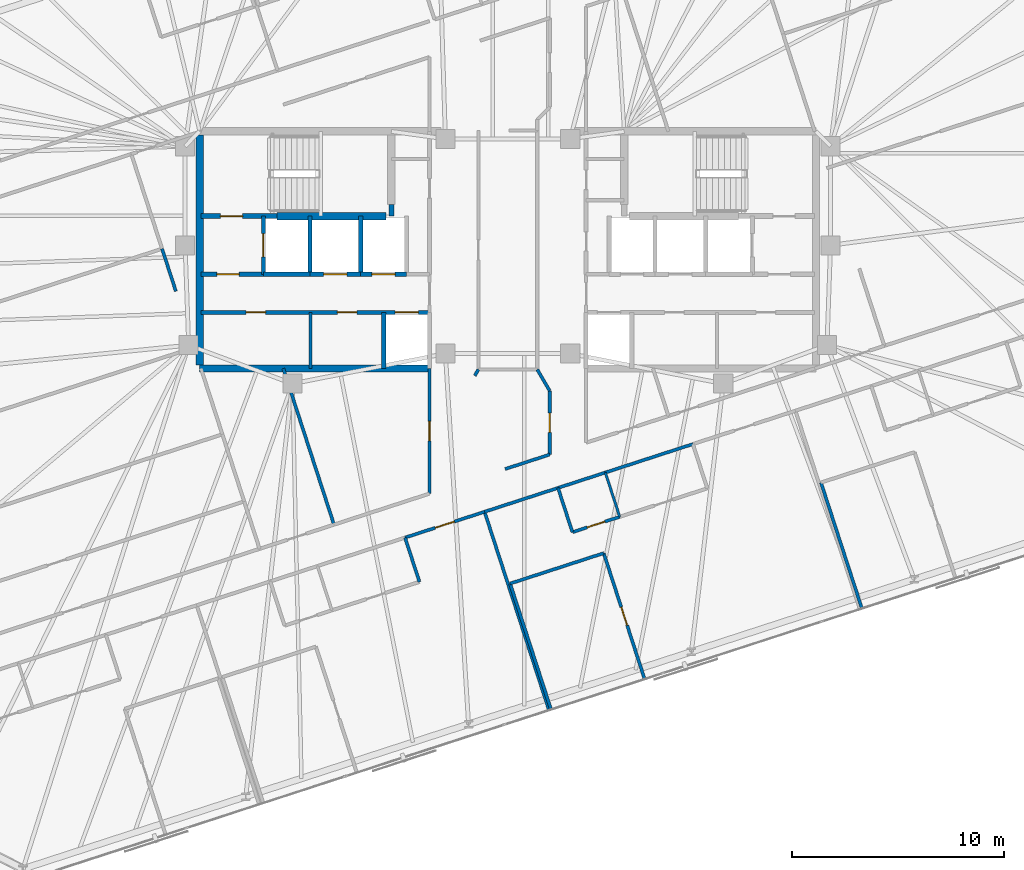
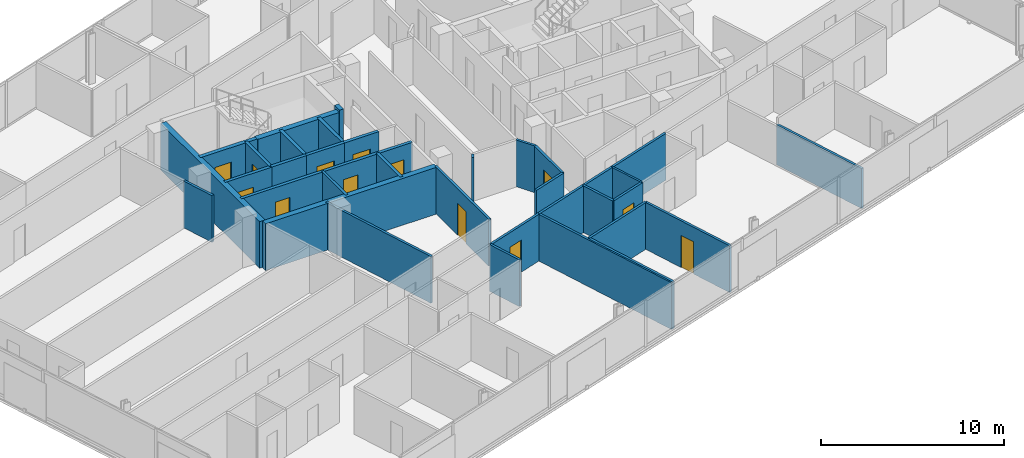
# One storey, part 14 of 19: 35 walls, 13 doors, 13 openings.
"""IFC4 building model written with IfcOpenShell, lengths in metres."""

from ifc_helpers import new_model, si_unit, direction, frame, frame_2d, origin, place, context, subcontext, project, spatial, rectangle, extrude, material, layer, layer_set, type_object, element, fill, save


model = new_model("IFC4")

# Units and contexts
model_context = context("Model", 3, precision=1e-05, world=origin(), true_north=direction((0.0, 1.0)))
body_context = subcontext(model_context, "Body", "Model", "MODEL_VIEW")
ifc_project = project(units=[si_unit("LENGTHUNIT", "METRE"), si_unit("AREAUNIT", "SQUARE_METRE"), si_unit("VOLUMEUNIT", "CUBIC_METRE"), si_unit("PLANEANGLEUNIT", "RADIAN"), si_unit("MASSUNIT", "GRAM", prefix="KILO")], contexts=[model_context])

# Site, building, storey
site_placement = place(None, origin())
site = spatial("IfcSite", under=ifc_project, at=site_placement, CompositionType="ELEMENT")
building_placement = place(site_placement, origin())
building = spatial("IfcBuilding", under=site, at=building_placement, Name="Menara Jurai Vektor", CompositionType="ELEMENT")
storey_placement = place(building_placement, frame((0.0, 0.0, 241.050048828125)))
storey = spatial("IfcBuildingStorey", under=building, at=storey_placement, Name="L64", CompositionType="ELEMENT", Elevation=241.050048828125)

# Wall, opening, door
ifc_material_1 = material(Name="Concrete C40/50", Category="concrete")
ifc_layer_1 = layer(ifc_material_1, 0.25)
ifc_layer_set_1 = layer_set([ifc_layer_1], Name="Concrete C40/50")
wall_type_1 = type_object("IfcWallType", Name="INT-WALL-CORE-250", PredefinedType="STANDARD", material=ifc_layer_set_1)
wall_1_placement = place(storey_placement, frame((-14.5, 1.60009765625, 0.0), z_axis=(0.0, 0.0, 1.0), x_axis=(1.0, 0.0, 0.0)))
wall_1 = element("IfcWall", 1, at=wall_1_placement, inside=storey, type_object=wall_type_1, Name="Interior Wall IW-250 L64", PredefinedType="STANDARD", context=body_context, shape_type="SweptSolid", body=[
    extrude(rectangle(XDim=3.60009765625, YDim=0.25, at=frame_2d((1.800048828125, 0.0))), origin(), (0.0, 0.0, 1.0), 3.125),
])
opening_1_placement = place(wall_1_placement, frame((0.919921875, 0.0, 0.0)))
opening_1 = element("IfcOpeningElement", 2, at=opening_1_placement, cuts=wall_1, Name="Opening D-L64-ST1", PredefinedType="OPENING", context=body_context, shape_type="SweptSolid", body=[
    extrude(rectangle(XDim=1.050048828125, YDim=2.14990234375, at=frame_2d((0.52490234375, 1.074951171875))), frame((0.0, 0.135009765625, 0.0), z_axis=(0.0, -1.0, 0.0), x_axis=(1.0, 0.0, 0.0)), (0.0, 0.0, 1.0), 0.27001953125),
])
ifc_material_2 = material(Name="Fire-Rated Steel Door", Category="steel")
door_type_1 = type_object("IfcDoorType", Name="DR-STAIR-1050", OperationType="NOTDEFINED", PredefinedType="DOOR", material=ifc_material_2)
door_1_placement = place(opening_1_placement, origin())
door_1 = element("IfcDoor", 3, at=door_1_placement, inside=storey, type_object=door_type_1, Name="Exit Stair ST1 Door L64", OperationType="SINGLE_SWING_RIGHT", OverallHeight=2.14990234375, OverallWidth=1.050048828125, PredefinedType="DOOR", context=body_context, shape_type="SweptSolid", body=[
    extrude(rectangle(XDim=1.050048828125, YDim=2.14990234375, at=frame_2d((0.52490234375, 1.074951171875))), frame((0.0, 0.02490234375, 0.0), z_axis=(0.0, -1.0, 0.0), x_axis=(1.0, 0.0, 0.0)), (0.0, 0.0, 1.0), 0.050048828125),
])
fill(opening_1, door_1)

# Wall
wall_2_placement = place(storey_placement, frame((-5.5, 1.60009765625, 0.0), z_axis=(0.0, 0.0, 1.0), x_axis=(0.0, 1.0, 0.0)))
element("IfcWall", 4, at=wall_2_placement, inside=storey, type_object=wall_type_1, Name="Interior Wall IW-250 L64", PredefinedType="STANDARD", context=body_context, shape_type="SweptSolid", body=[
    extrude(rectangle(XDim=0.5498046875, YDim=0.25, at=frame_2d((0.27490234375, 0.0))), origin(), (0.0, 0.0, 1.0), 3.125),
])

# Wall, opening, door
wall_3_placement = place(storey_placement, frame((-11.550048828125, -1.14990234375, 0.0), z_axis=(0.0, 0.0, 1.0), x_axis=(0.0, 1.0, 0.0)))
wall_3 = element("IfcWall", 5, at=wall_3_placement, inside=storey, type_object=wall_type_1, Name="Interior Wall IW-250 L64", PredefinedType="STANDARD", context=body_context, shape_type="SweptSolid", body=[
    extrude(rectangle(XDim=2.75, YDim=0.199951171875, at=frame_2d((1.375, 0.0))), origin(), (0.0, 0.0, 1.0), 3.125),
])
opening_2_placement = place(wall_3_placement, frame((0.824951171875, 0.0, 0.0)))
opening_2 = element("IfcOpeningElement", 6, at=opening_2_placement, cuts=wall_3, Name="Opening LD-L64-FL1", PredefinedType="OPENING", context=body_context, shape_type="SweptSolid", body=[
    extrude(rectangle(XDim=1.10009765625, YDim=2.14990234375, at=frame_2d((0.550048828125, 1.074951171875))), frame((0.0, 0.10986328125, 0.0), z_axis=(0.0, -1.0, 0.0), x_axis=(1.0, 0.0, 0.0)), (0.0, 0.0, 1.0), 0.219970703125),
])
ifc_material_3 = material(Name="Stainless Steel Sliding Lift Landing Door", Category="steel")
door_type_2 = type_object("IfcDoorType", Name="DR-LIFT-FIRE-1100", OperationType="NOTDEFINED", PredefinedType="DOOR", material=ifc_material_3)
door_2_placement = place(opening_2_placement, origin())
door_2 = element("IfcDoor", 7, at=door_2_placement, inside=storey, type_object=door_type_2, Name="Lift Landing Door FL1 L64", OperationType="SLIDING_TO_RIGHT", OverallHeight=2.14990234375, OverallWidth=1.10009765625, PredefinedType="DOOR", context=body_context, shape_type="SweptSolid", body=[
    extrude(rectangle(XDim=1.10009765625, YDim=2.14990234375, at=frame_2d((0.550048828125, 1.074951171875))), frame((0.0, 0.02490234375, 0.0), z_axis=(0.0, -1.0, 0.0), x_axis=(1.0, 0.0, 0.0)), (0.0, 0.0, 1.0), 0.050048828125),
])
fill(opening_2, door_2)

# Wall
wall_4_placement = place(storey_placement, frame((-9.35009765625, -1.14990234375, 0.0), z_axis=(0.0, 0.0, 1.0), x_axis=(0.0, 1.0, 0.0)))
element("IfcWall", 8, at=wall_4_placement, inside=storey, type_object=wall_type_1, Name="Interior Wall IW-250 L64", PredefinedType="STANDARD", context=body_context, shape_type="SweptSolid", body=[
    extrude(rectangle(XDim=2.75, YDim=0.199951171875, at=frame_2d((1.375, 0.0))), origin(), (0.0, 0.0, 1.0), 3.125),
])

# Wall, opening, door
wall_5_placement = place(storey_placement, frame((-14.5, -1.14990234375, 0.0), z_axis=(0.0, 0.0, 1.0), x_axis=(1.0, 0.0, 0.0)))
wall_5 = element("IfcWall", 9, at=wall_5_placement, inside=storey, type_object=wall_type_1, Name="Interior Wall IW-250 L64", PredefinedType="STANDARD", context=body_context, shape_type="SweptSolid", body=[
    extrude(rectangle(XDim=2.949951171875, YDim=0.199951171875, at=frame_2d((1.47509765625, 0.0))), origin(), (0.0, 0.0, 1.0), 3.125),
])
opening_3_placement = place(wall_5_placement, frame((0.75, 0.0, 0.0)))
opening_3 = element("IfcOpeningElement", 10, at=opening_3_placement, cuts=wall_5, Name="Opening D-L64-FFW", PredefinedType="OPENING", context=body_context, shape_type="SweptSolid", body=[
    extrude(rectangle(XDim=1.050048828125, YDim=2.179931640625, at=frame_2d((0.52490234375, 1.08984375))), frame((0.0, 0.10986328125, 0.0), z_axis=(0.0, -1.0, 0.0), x_axis=(1.0, 0.0, 0.0)), (0.0, 0.0, 1.0), 0.219970703125),
])
ifc_material_4 = material(Name="Fire-Rated Timber Door", Category="wood")
door_type_3 = type_object("IfcDoorType", Name="DR-LOBBY-1050", OperationType="NOTDEFINED", PredefinedType="DOOR", material=ifc_material_4)
door_3_placement = place(opening_3_placement, origin())
door_3 = element("IfcDoor", 11, at=door_3_placement, inside=storey, type_object=door_type_3, Name="Fire Lift Lobby Door W L64", OperationType="SINGLE_SWING_RIGHT", OverallHeight=2.179931640625, OverallWidth=1.050048828125, PredefinedType="DOOR", context=body_context, shape_type="SweptSolid", body=[
    extrude(rectangle(XDim=1.050048828125, YDim=2.179931640625, at=frame_2d((0.52490234375, 1.08984375))), frame((0.0, 0.02490234375, 0.0), z_axis=(0.0, -1.0, 0.0), x_axis=(1.0, 0.0, 0.0)), (0.0, 0.0, 1.0), 0.050048828125),
])
fill(opening_3, door_3)

# Walls
wall_6_placement = place(storey_placement, frame((-11.550048828125, -1.14990234375, 0.0), z_axis=(0.0, 0.0, 1.0), x_axis=(1.0, 0.0, 0.0)))
element("IfcWall", 12, at=wall_6_placement, inside=storey, type_object=wall_type_1, Name="Interior Wall IW-250 L64", PredefinedType="STANDARD", context=body_context, shape_type="SweptSolid", body=[
    extrude(rectangle(XDim=2.199951171875, YDim=0.199951171875, at=frame_2d((1.10009765625, 0.0))), origin(), (0.0, 0.0, 1.0), 3.125),
])
ifc_material_5 = material(Name="Gypsum Fireboard Partition", Category="gypsum")
ifc_layer_2 = layer(ifc_material_5, 0.14990234375)
ifc_layer_set_2 = layer_set([ifc_layer_2], Name="Gypsum Fireboard Partition")
wall_type_2 = type_object("IfcWallType", Name="INT-WALL-CORR-150", PredefinedType="PARTITIONING", material=ifc_layer_set_2)
wall_7_placement = place(storey_placement, frame((-9.320068359375, -5.60009765625, 0.0), z_axis=(0.0, 0.0, 1.0), x_axis=(0.0, 1.0, 0.0)))
element("IfcWall", 13, at=wall_7_placement, inside=storey, type_object=wall_type_2, Name="Interior Wall IW-150 L64", PredefinedType="PARTITIONING", context=body_context, shape_type="SweptSolid", body=[
    extrude(rectangle(XDim=2.650146484375, YDim=0.14990234375, at=frame_2d((1.3251953125, 0.0))), origin(), (0.0, 0.0, 1.0), 3.125),
])

# Wall, opening, door
wall_8_placement = place(storey_placement, frame((-4.85595703125, -13.5927734375, 0.0), z_axis=(0.0, 0.0, 1.0), x_axis=(0.951054051148, 0.309024581215, 0.0)))
wall_8 = element("IfcWall", 14, at=wall_8_placement, inside=storey, type_object=wall_type_2, Name="Interior Wall IW-150 L64", PredefinedType="PARTITIONING", context=body_context, shape_type="SweptSolid", body=[
    extrude(rectangle(XDim=3.9501953125, YDim=0.14990234375, at=frame_2d((1.97509765625, 0.0))), origin(), (0.0, 0.0, 1.0), 3.125),
])
opening_4_placement = place(wall_8_placement, frame((1.5, 0.0, 0.0)))
opening_4 = element("IfcOpeningElement", 15, at=opening_4_placement, cuts=wall_8, Name="Opening D64-21", PredefinedType="OPENING", context=body_context, shape_type="SweptSolid", body=[
    extrude(rectangle(XDim=0.949951171875, YDim=2.14990234375, at=frame_2d((0.47509765625, 1.074951171875))), frame((0.0, 0.0849609375, 0.0), z_axis=(0.0, -1.0, 0.0), x_axis=(1.0, 0.0, 0.0)), (0.0, 0.0, 1.0), 0.169921875),
])
ifc_material_6 = material(Name="Solid Core Timber Fire Door", Category="wood")
door_type_4 = type_object("IfcDoorType", Name="DR-ENTRY-950", OperationType="NOTDEFINED", PredefinedType="DOOR", material=ifc_material_6)
door_4_placement = place(opening_4_placement, origin())
door_4 = element("IfcDoor", 16, at=door_4_placement, inside=storey, type_object=door_type_4, Name="Interior Door D64-21", OperationType="SINGLE_SWING_RIGHT", OverallHeight=2.14990234375, OverallWidth=0.949951171875, PredefinedType="DOOR", context=body_context, shape_type="SweptSolid", body=[
    extrude(rectangle(XDim=0.949951171875, YDim=2.14990234375, at=frame_2d((0.47509765625, 1.074951171875))), frame((0.0, 0.02490234375, 0.0), z_axis=(0.0, -1.0, 0.0), x_axis=(1.0, 0.0, 0.0)), (0.0, 0.0, 1.0), 0.050048828125),
])
fill(opening_4, door_4)

# Walls
wall_9_placement = place(storey_placement, frame((-1.09912109375, -12.3720703125, 0.0), z_axis=(0.0, 0.0, 1.0), x_axis=(0.951057168147, 0.309014988174, 0.0)))
element("IfcWall", 17, at=wall_9_placement, inside=storey, type_object=wall_type_2, Name="Interior Wall IW-150 L64", PredefinedType="PARTITIONING", context=body_context, shape_type="SweptSolid", body=[
    extrude(rectangle(XDim=3.650146484375, YDim=0.14990234375, at=frame_2d((1.8251953125, 0.0))), origin(), (0.0, 0.0, 1.0), 3.125),
])
wall_10_placement = place(storey_placement, frame((2.372314453125, -11.244140625, 0.0), z_axis=(0.0, 0.0, 1.0), x_axis=(0.951066131077, 0.308987401554, 0.0)))
element("IfcWall", 18, at=wall_10_placement, inside=storey, type_object=wall_type_2, Name="Interior Wall IW-150 L64", PredefinedType="PARTITIONING", context=body_context, shape_type="SweptSolid", body=[
    extrude(rectangle(XDim=2.349853515625, YDim=0.14990234375, at=frame_2d((1.1748046875, 0.0))), origin(), (0.0, 0.0, 1.0), 3.125),
])
wall_11_placement = place(storey_placement, frame((4.607177734375, -10.51806640625, 0.0), z_axis=(0.0, 0.0, 1.0), x_axis=(0.951052627573, 0.309028962374, 0.0)))
element("IfcWall", 19, at=wall_11_placement, inside=storey, type_object=wall_type_2, Name="Interior Wall IW-150 L64", PredefinedType="PARTITIONING", context=body_context, shape_type="SweptSolid", body=[
    extrude(rectangle(XDim=4.349853515625, YDim=0.14990234375, at=frame_2d((2.1748046875, 0.0))), origin(), (0.0, 0.0, 1.0), 3.125),
])
wall_12_placement = place(storey_placement, frame((-0.12939453125, -10.353515625, 0.0), z_axis=(0.0, 0.0, 1.0), x_axis=(0.951066420845, 0.308986509643, 0.0)))
element("IfcWall", 20, at=wall_12_placement, inside=storey, type_object=wall_type_2, Name="Interior Wall IW-150 L64", PredefinedType="PARTITIONING", context=body_context, shape_type="SweptSolid", body=[
    extrude(rectangle(XDim=2.218017578125, YDim=0.14990234375, at=frame_2d((1.10888671875, 0.0))), origin(), (0.0, 0.0, 1.0), 3.125),
])
wall_13_placement = place(storey_placement, frame((-1.5625, -5.943603515625, 0.0), z_axis=(0.0, 0.0, 1.0), x_axis=(0.505387839696, 0.862892305845, 0.0)))
element("IfcWall", 21, at=wall_13_placement, inside=storey, type_object=wall_type_2, Name="Interior Wall IW-150 L64", PredefinedType="PARTITIONING", context=body_context, shape_type="SweptSolid", body=[
    extrude(rectangle(XDim=0.340087890625, YDim=0.14990234375, at=frame_2d((0.169921875, 0.0))), origin(), (0.0, 0.0, 1.0), 3.125),
])

# Wall, opening, door
wall_14_placement = place(storey_placement, frame((1.97998046875, -9.668212890625, 0.0), z_axis=(0.0, 0.0, 1.0), x_axis=(8.1241368e-05, 0.9999999967, 0.0)))
wall_14 = element("IfcWall", 22, at=wall_14_placement, inside=storey, type_object=wall_type_2, Name="Interior Wall IW-150 L64", PredefinedType="PARTITIONING", context=body_context, shape_type="SweptSolid", body=[
    extrude(rectangle(XDim=3.005126953125, YDim=0.14990234375, at=frame_2d((1.50244140625, 0.0))), origin(), (0.0, 0.0, 1.0), 3.125),
])
opening_5_placement = place(wall_14_placement, frame((1.04248046875, 0.0, 0.0)))
opening_5 = element("IfcOpeningElement", 23, at=opening_5_placement, cuts=wall_14, Name="Opening D64-40", PredefinedType="OPENING", context=body_context, shape_type="SweptSolid", body=[
    extrude(rectangle(XDim=0.919921875, YDim=2.14990234375, at=frame_2d((0.4599609375, 1.074951171875))), frame((0.0, 0.0849609375, 0.0), z_axis=(0.0, -1.0, 0.0), x_axis=(1.0, 0.0, 0.0)), (0.0, 0.0, 1.0), 0.169921875),
])
door_5_placement = place(opening_5_placement, origin())
door_5 = element("IfcDoor", 24, at=door_5_placement, inside=storey, type_object=door_type_4, Name="Interior Door D64-40", OperationType="SINGLE_SWING_LEFT", OverallHeight=2.14990234375, OverallWidth=0.919921875, PredefinedType="DOOR", context=body_context, shape_type="SweptSolid", body=[
    extrude(rectangle(XDim=0.919921875, YDim=2.14990234375, at=frame_2d((0.4599609375, 1.074951171875))), frame((0.0, 0.02490234375, 0.0), z_axis=(0.0, -1.0, 0.0), x_axis=(1.0, 0.0, 0.0)), (0.0, 0.0, 1.0), 0.050048828125),
])
fill(opening_5, door_5)

# Wall
wall_15_placement = place(storey_placement, frame((1.391357421875, -5.6494140625, 0.0), z_axis=(0.0, 0.0, 1.0), x_axis=(0.502522642426, -0.864564048437, 0.0)))
element("IfcWall", 25, at=wall_15_placement, inside=storey, type_object=wall_type_2, Name="Interior Wall IW-150 L64", PredefinedType="PARTITIONING", context=body_context, shape_type="SweptSolid", body=[
    extrude(rectangle(XDim=1.17138671875, YDim=0.14990234375, at=frame_2d((0.585693359375, 0.0))), origin(), (0.0, 0.0, 1.0), 3.125),
])

# Wall, opening, door
wall_16_placement = place(storey_placement, frame((-3.69970703125, -11.513671875, 0.0), z_axis=(0.0, 0.0, 1.0), x_axis=(-8.2572974e-05, 0.999999996591, 0.0)))
wall_16 = element("IfcWall", 26, at=wall_16_placement, inside=storey, type_object=wall_type_2, Name="Interior Wall IW-150 L64", PredefinedType="PARTITIONING", context=body_context, shape_type="SweptSolid", body=[
    extrude(rectangle(XDim=5.913330078125, YDim=0.14990234375, at=frame_2d((2.95654296875, 0.0))), origin(), (0.0, 0.0, 1.0), 3.125),
])
opening_6_placement = place(wall_16_placement, frame((2.49658203125, 0.0, 0.0)))
opening_6 = element("IfcOpeningElement", 27, at=opening_6_placement, cuts=wall_16, Name="Opening D64-43", PredefinedType="OPENING", context=body_context, shape_type="SweptSolid", body=[
    extrude(rectangle(XDim=0.919921875, YDim=2.14990234375, at=frame_2d((0.4599609375, 1.074951171875))), frame((0.0, 0.0849609375, 0.0), z_axis=(0.0, -1.0, 0.0), x_axis=(1.0, 0.0, 0.0)), (0.0, 0.0, 1.0), 0.169921875),
])
door_6_placement = place(opening_6_placement, origin())
door_6 = element("IfcDoor", 28, at=door_6_placement, inside=storey, type_object=door_type_4, Name="Interior Door D64-43", OperationType="SINGLE_SWING_RIGHT", OverallHeight=2.14990234375, OverallWidth=0.919921875, PredefinedType="DOOR", context=body_context, shape_type="SweptSolid", body=[
    extrude(rectangle(XDim=0.919921875, YDim=2.14990234375, at=frame_2d((0.4599609375, 1.074951171875))), frame((0.0, 0.02490234375, 0.0), z_axis=(0.0, -1.0, 0.0), x_axis=(1.0, 0.0, 0.0)), (0.0, 0.0, 1.0), 0.050048828125),
])
fill(opening_6, door_6)

# Walls
wall_17_placement = place(storey_placement, frame((-4.176025390625, -15.68505859375, 0.0), z_axis=(0.0, 0.0, 1.0), x_axis=(-0.309060979314, 0.951042223598, 0.0)))
element("IfcWall", 29, at=wall_17_placement, inside=storey, type_object=wall_type_2, Name="Interior Wall IW-150 L64", PredefinedType="PARTITIONING", context=body_context, shape_type="SweptSolid", body=[
    extrude(rectangle(XDim=2.199951171875, YDim=0.14990234375, at=frame_2d((1.10009765625, 0.0))), origin(), (0.0, 0.0, 1.0), 3.125),
])
wall_18_placement = place(storey_placement, frame((1.9482421875, -21.75146484375, 0.0), z_axis=(0.0, 0.0, 1.0), x_axis=(-0.308999867152, 0.951062081097, 0.0)))
element("IfcWall", 30, at=wall_18_placement, inside=storey, type_object=wall_type_2, Name="Interior Wall IW-150 L64", PredefinedType="PARTITIONING", context=body_context, shape_type="SweptSolid", body=[
    extrude(rectangle(XDim=9.862060546875, YDim=0.14990234375, at=frame_2d((4.93115234375, 0.0))), origin(), (0.0, 0.0, 1.0), 3.125),
])
wall_19_placement = place(storey_placement, frame((3.052001953125, -13.33642578125, 0.0), z_axis=(0.0, 0.0, 1.0), x_axis=(-0.308960600764, 0.951074837842, 0.0)))
element("IfcWall", 31, at=wall_19_placement, inside=storey, type_object=wall_type_2, Name="Interior Wall IW-150 L64", PredefinedType="PARTITIONING", context=body_context, shape_type="SweptSolid", body=[
    extrude(rectangle(XDim=2.199951171875, YDim=0.14990234375, at=frame_2d((1.10009765625, 0.0))), origin(), (0.0, 0.0, 1.0), 3.125),
])

# Wall, opening, door
wall_20_placement = place(storey_placement, frame((3.052001953125, -13.33642578125, 0.0), z_axis=(0.0, 0.0, 1.0), x_axis=(0.951076048914, 0.308956872689, 0.0)))
wall_20 = element("IfcWall", 32, at=wall_20_placement, inside=storey, type_object=wall_type_2, Name="Interior Wall IW-150 L64", PredefinedType="PARTITIONING", context=body_context, shape_type="SweptSolid", body=[
    extrude(rectangle(XDim=2.35009765625, YDim=0.14990234375, at=frame_2d((1.175048828125, 0.0))), origin(), (0.0, 0.0, 1.0), 3.125),
])
opening_7_placement = place(wall_20_placement, frame((0.735107421875, 0.0, 0.0)))
opening_7 = element("IfcOpeningElement", 33, at=opening_7_placement, cuts=wall_20, Name="Opening D64-26", PredefinedType="OPENING", context=body_context, shape_type="SweptSolid", body=[
    extrude(rectangle(XDim=0.8798828125, YDim=2.14990234375, at=frame_2d((0.43994140625, 1.074951171875))), frame((0.0, 0.0849609375, 0.0), z_axis=(0.0, -1.0, 0.0), x_axis=(1.0, 0.0, 0.0)), (0.0, 0.0, 1.0), 0.169921875),
])
ifc_material_7 = material(Name="Moisture-Resistant Timber Door", Category="wood")
door_type_5 = type_object("IfcDoorType", Name="DR-BATH-880", OperationType="NOTDEFINED", PredefinedType="DOOR", material=ifc_material_7)
door_7_placement = place(opening_7_placement, origin())
door_7 = element("IfcDoor", 34, at=door_7_placement, inside=storey, type_object=door_type_5, Name="Interior Door D64-26", OperationType="SINGLE_SWING_LEFT", OverallHeight=2.14990234375, OverallWidth=0.8798828125, PredefinedType="DOOR", context=body_context, shape_type="SweptSolid", body=[
    extrude(rectangle(XDim=0.8798828125, YDim=2.14990234375, at=frame_2d((0.43994140625, 1.074951171875))), frame((0.0, 0.02490234375, 0.0), z_axis=(0.0, -1.0, 0.0), x_axis=(1.0, 0.0, 0.0)), (0.0, 0.0, 1.0), 0.050048828125),
])
fill(opening_7, door_7)

# Walls
wall_21_placement = place(storey_placement, frame((2.04345703125, -21.720458984375, 0.0), z_axis=(0.0, 0.0, 1.0), x_axis=(-0.309013782848, 0.951057559777, 0.0)))
element("IfcWall", 35, at=wall_21_placement, inside=storey, type_object=wall_type_2, Name="Interior Wall IW-150 L64", PredefinedType="PARTITIONING", context=body_context, shape_type="SweptSolid", body=[
    extrude(rectangle(XDim=6.261962890625, YDim=0.14990234375, at=frame_2d((3.130859375, 0.0))), origin(), (0.0, 0.0, 1.0), 3.125),
])
wall_22_placement = place(storey_placement, frame((0.1083984375, -15.764892578125, 0.0), z_axis=(0.0, 0.0, 1.0), x_axis=(0.951065702951, 0.308988719326, 0.0)))
element("IfcWall", 36, at=wall_22_placement, inside=storey, type_object=wall_type_2, Name="Interior Wall IW-150 L64", PredefinedType="PARTITIONING", context=body_context, shape_type="SweptSolid", body=[
    extrude(rectangle(XDim=4.64990234375, YDim=0.14990234375, at=frame_2d((2.324951171875, 0.0))), origin(), (0.0, 0.0, 1.0), 3.125),
])

# Wall, opening, door
wall_23_placement = place(storey_placement, frame((6.4658203125, -20.28369140625, 0.0), z_axis=(0.0, 0.0, 1.0), x_axis=(-0.309013782848, 0.951057559777, 0.0)))
wall_23 = element("IfcWall", 37, at=wall_23_placement, inside=storey, type_object=wall_type_2, Name="Interior Wall IW-150 L64", PredefinedType="PARTITIONING", context=body_context, shape_type="SweptSolid", body=[
    extrude(rectangle(XDim=6.261962890625, YDim=0.14990234375, at=frame_2d((3.130859375, 0.0))), origin(), (0.0, 0.0, 1.0), 3.125),
])
opening_8_placement = place(wall_23_placement, frame((2.680908203125, 0.0, 0.0)))
opening_8 = element("IfcOpeningElement", 38, at=opening_8_placement, cuts=wall_23, Name="Opening D64-28", PredefinedType="OPENING", context=body_context, shape_type="SweptSolid", body=[
    extrude(rectangle(XDim=0.89990234375, YDim=2.14990234375, at=frame_2d((0.449951171875, 1.074951171875))), frame((0.0, 0.0849609375, 0.0), z_axis=(0.0, -1.0, 0.0), x_axis=(1.0, 0.0, 0.0)), (0.0, 0.0, 1.0), 0.169921875),
])
ifc_material_8 = material(Name="Acoustic Timber Interior Door", Category="wood")
door_type_6 = type_object("IfcDoorType", Name="DR-ROOM-900", OperationType="NOTDEFINED", PredefinedType="DOOR", material=ifc_material_8)
door_8_placement = place(opening_8_placement, origin())
door_8 = element("IfcDoor", 39, at=door_8_placement, inside=storey, type_object=door_type_6, Name="Interior Door D64-28", OperationType="SINGLE_SWING_LEFT", OverallHeight=2.14990234375, OverallWidth=0.89990234375, PredefinedType="DOOR", context=body_context, shape_type="SweptSolid", body=[
    extrude(rectangle(XDim=0.89990234375, YDim=2.14990234375, at=frame_2d((0.449951171875, 1.074951171875))), frame((0.0, 0.02490234375, 0.0), z_axis=(0.0, -1.0, 0.0), x_axis=(1.0, 0.0, 0.0)), (0.0, 0.0, 1.0), 0.050048828125),
])
fill(opening_8, door_8)

# Walls
wall_24_placement = place(storey_placement, frame((-15.68505859375, -1.952392578125, 0.0), z_axis=(0.0, 0.0, 1.0), x_axis=(-0.308929092959, 0.951085072706, 0.0)))
element("IfcWall", 40, at=wall_24_placement, inside=storey, type_object=wall_type_2, Name="Interior Wall IW-150 L64", PredefinedType="PARTITIONING", context=body_context, shape_type="SweptSolid", body=[
    extrude(rectangle(XDim=2.110107421875, YDim=0.14990234375, at=frame_2d((1.05517578125, 0.0))), origin(), (0.0, 0.0, 1.0), 3.125),
])
wall_25_placement = place(storey_placement, frame((-8.21337890625, -12.980224609375, 0.0), z_axis=(0.0, 0.0, 1.0), x_axis=(-0.309017065592, 0.951056493155, 0.0)))
element("IfcWall", 41, at=wall_25_placement, inside=storey, type_object=wall_type_2, Name="Interior Wall IW-150 L64", PredefinedType="PARTITIONING", context=body_context, shape_type="SweptSolid", body=[
    extrude(rectangle(XDim=7.760009765625, YDim=0.14990234375, at=frame_2d((3.8798828125, 0.0))), origin(), (0.0, 0.0, 1.0), 3.125),
])
ifc_layer_3 = layer(ifc_material_5, 0.14990234375)
ifc_layer_set_3 = layer_set([ifc_layer_3], Name="Gypsum Fireboard Partition")
wall_type_3 = type_object("IfcWallType", Name="INT-WALL-CORR-150-H1", PredefinedType="PARTITIONING", material=ifc_layer_set_3)
wall_26_placement = place(storey_placement, frame((16.7314453125, -16.947998046875, 0.0), z_axis=(0.0, 0.0, 1.0), x_axis=(-0.309013782848, 0.951057559777, 0.0)))
element("IfcWall", 42, at=wall_26_placement, inside=storey, type_object=wall_type_3, Name="Interior Wall IW-150 L64", PredefinedType="PARTITIONING", context=body_context, shape_type="SweptSolid", body=[
    extrude(rectangle(XDim=6.261962890625, YDim=0.14990234375, at=frame_2d((3.130859375, 0.0))), origin(), (0.0, 0.0, 1.0), 2.675048828125),
])
ifc_material_9 = material(Name="Gypsum Acoustic Stud Partition", Category="gypsum")
ifc_layer_4 = layer(ifc_material_9, 0.1201171875)
ifc_layer_set_4 = layer_set([ifc_layer_4], Name="Gypsum Acoustic Stud Partition")
wall_type_4 = type_object("IfcWallType", Name="INT-WALL-PART-120", PredefinedType="PARTITIONING", material=ifc_layer_set_4)
wall_27_placement = place(storey_placement, frame((5.287109375, -12.6103515625, 0.0), z_axis=(0.0, 0.0, 1.0), x_axis=(-0.309060979314, 0.951042223598, 0.0)))
element("IfcWall", 43, at=wall_27_placement, inside=storey, type_object=wall_type_4, Name="Interior Wall IW-120 L64", PredefinedType="PARTITIONING", context=body_context, shape_type="SweptSolid", body=[
    extrude(rectangle(XDim=2.199951171875, YDim=0.1201171875, at=frame_2d((1.10009765625, 0.0))), origin(), (0.0, 0.0, 1.0), 3.125),
])
ifc_layer_5 = layer(ifc_material_1, 0.199951171875)
ifc_layer_set_5 = layer_set([ifc_layer_5], Name="Concrete C40/50")
wall_type_5 = type_object("IfcWallType", Name="INT-WALL-SHAFT-200", PredefinedType="STANDARD", material=ifc_layer_set_5)
wall_28_placement = place(storey_placement, frame((-6.949951171875, -1.14990234375, 0.0), z_axis=(0.0, 0.0, 1.0), x_axis=(0.0, 1.0, 0.0)))
element("IfcWall", 44, at=wall_28_placement, inside=storey, type_object=wall_type_5, Name="Interior Wall IW-200 L64", PredefinedType="STANDARD", context=body_context, shape_type="SweptSolid", body=[
    extrude(rectangle(XDim=2.75, YDim=0.199951171875, at=frame_2d((1.375, 0.0))), origin(), (0.0, 0.0, 1.0), 3.125),
])

# Wall, opening, door
wall_29_placement = place(storey_placement, frame((-9.35009765625, -1.14990234375, 0.0), z_axis=(0.0, 0.0, 1.0), x_axis=(1.0, 0.0, 0.0)))
wall_29 = element("IfcWall", 45, at=wall_29_placement, inside=storey, type_object=wall_type_5, Name="Interior Wall IW-200 L64", PredefinedType="STANDARD", context=body_context, shape_type="SweptSolid", body=[
    extrude(rectangle(XDim=2.400146484375, YDim=0.199951171875, at=frame_2d((1.2001953125, 0.0))), origin(), (0.0, 0.0, 1.0), 3.125),
])
opening_9_placement = place(wall_29_placement, frame((0.64990234375, 0.0, 0.0)))
opening_9 = element("IfcOpeningElement", 46, at=opening_9_placement, cuts=wall_29, Name="Opening LD-L64-SVL1", PredefinedType="OPENING", context=body_context, shape_type="SweptSolid", body=[
    extrude(rectangle(XDim=1.10009765625, YDim=2.14990234375, at=frame_2d((0.550048828125, 1.074951171875))), frame((0.0, 0.10986328125, 0.0), z_axis=(0.0, -1.0, 0.0), x_axis=(1.0, 0.0, 0.0)), (0.0, 0.0, 1.0), 0.219970703125),
])
ifc_material_10 = material(Name="Anodised Stainless Sliding Lift Landing Door", Category="steel")
door_type_7 = type_object("IfcDoorType", Name="DR-LIFT-PASS-1100", OperationType="NOTDEFINED", PredefinedType="DOOR", material=ifc_material_10)
door_9_placement = place(opening_9_placement, origin())
door_9 = element("IfcDoor", 47, at=door_9_placement, inside=storey, type_object=door_type_7, Name="Lift Landing Door SVL1 L64", OperationType="SLIDING_TO_RIGHT", OverallHeight=2.14990234375, OverallWidth=1.10009765625, PredefinedType="DOOR", context=body_context, shape_type="SweptSolid", body=[
    extrude(rectangle(XDim=1.10009765625, YDim=2.14990234375, at=frame_2d((0.550048828125, 1.074951171875))), frame((0.0, 0.02490234375, 0.0), z_axis=(0.0, -1.0, 0.0), x_axis=(1.0, 0.0, 0.0)), (0.0, 0.0, 1.0), 0.050048828125),
])
fill(opening_9, door_9)

wall_30_placement = place(storey_placement, frame((-6.949951171875, -1.14990234375, 0.0), z_axis=(0.0, 0.0, 1.0), x_axis=(1.0, 0.0, 0.0)))
wall_30 = element("IfcWall", 48, at=wall_30_placement, inside=storey, type_object=wall_type_5, Name="Interior Wall IW-200 L64", PredefinedType="STANDARD", context=body_context, shape_type="SweptSolid", body=[
    extrude(rectangle(XDim=2.159912109375, YDim=0.199951171875, at=frame_2d((1.080078125, 0.0))), origin(), (0.0, 0.0, 1.0), 3.125),
])
opening_10_placement = place(wall_30_placement, frame((0.530029296875, 0.0, 0.0)))
opening_10 = element("IfcOpeningElement", 49, at=opening_10_placement, cuts=wall_30, Name="Opening LD-L64-PH2", PredefinedType="OPENING", context=body_context, shape_type="SweptSolid", body=[
    extrude(rectangle(XDim=1.10009765625, YDim=2.14990234375, at=frame_2d((0.550048828125, 1.074951171875))), frame((0.0, 0.10986328125, 0.0), z_axis=(0.0, -1.0, 0.0), x_axis=(1.0, 0.0, 0.0)), (0.0, 0.0, 1.0), 0.219970703125),
])
door_10_placement = place(opening_10_placement, origin())
door_10 = element("IfcDoor", 50, at=door_10_placement, inside=storey, type_object=door_type_7, Name="Lift Landing Door PH2 L64", OperationType="SLIDING_TO_RIGHT", OverallHeight=2.14990234375, OverallWidth=1.10009765625, PredefinedType="DOOR", context=body_context, shape_type="SweptSolid", body=[
    extrude(rectangle(XDim=1.10009765625, YDim=2.14990234375, at=frame_2d((0.550048828125, 1.074951171875))), frame((0.0, 0.02490234375, 0.0), z_axis=(0.0, -1.0, 0.0), x_axis=(1.0, 0.0, 0.0)), (0.0, 0.0, 1.0), 0.050048828125),
])
fill(opening_10, door_10)

# Wall, openings, doors
wall_31_placement = place(storey_placement, frame((-14.5, -2.949951171875, 0.0), z_axis=(0.0, 0.0, 1.0), x_axis=(1.0, 0.0, 0.0)))
wall_31 = element("IfcWall", 51, at=wall_31_placement, inside=storey, type_object=wall_type_5, Name="Interior Wall IW-200 L64", PredefinedType="STANDARD", context=body_context, shape_type="SweptSolid", body=[
    extrude(rectangle(XDim=10.800048828125, YDim=0.199951171875, at=frame_2d((5.39990234375, 0.0))), origin(), (0.0, 0.0, 1.0), 3.125),
])
opening_11_placement = place(wall_31_placement, frame((9.169921875, 0.0, 0.0)))
opening_11 = element("IfcOpeningElement", 52, at=opening_11_placement, cuts=wall_31, Name="Opening LD-L64-PH1", PredefinedType="OPENING", context=body_context, shape_type="SweptSolid", body=[
    extrude(rectangle(XDim=1.10009765625, YDim=2.14990234375, at=frame_2d((0.550048828125, 1.074951171875))), frame((0.0, 0.10986328125, 0.0), z_axis=(0.0, -1.0, 0.0), x_axis=(1.0, 0.0, 0.0)), (0.0, 0.0, 1.0), 0.219970703125),
])
opening_12_placement = place(wall_31_placement, frame((2.1298828125, 0.0, 0.0)))
opening_12 = element("IfcOpeningElement", 53, at=opening_12_placement, cuts=wall_31, Name="Opening D64-01", PredefinedType="OPENING", context=body_context, shape_type="SweptSolid", body=[
    extrude(rectangle(XDim=0.919921875, YDim=2.14990234375, at=frame_2d((0.4599609375, 1.074951171875))), frame((0.0, 0.10986328125, 0.0), z_axis=(0.0, -1.0, 0.0), x_axis=(1.0, 0.0, 0.0)), (0.0, 0.0, 1.0), 0.219970703125),
])
opening_13_placement = place(wall_31_placement, frame((6.449951171875, 0.0, 0.0)))
opening_13 = element("IfcOpeningElement", 54, at=opening_13_placement, cuts=wall_31, Name="Opening D64-02", PredefinedType="OPENING", context=body_context, shape_type="SweptSolid", body=[
    extrude(rectangle(XDim=0.919921875, YDim=2.14990234375, at=frame_2d((0.4599609375, 1.074951171875))), frame((0.0, 0.10986328125, 0.0), z_axis=(0.0, -1.0, 0.0), x_axis=(1.0, 0.0, 0.0)), (0.0, 0.0, 1.0), 0.219970703125),
])
door_11_placement = place(opening_12_placement, origin())
door_11 = element("IfcDoor", 55, at=door_11_placement, inside=storey, type_object=door_type_4, Name="Interior Door D64-01", OperationType="SINGLE_SWING_LEFT", OverallHeight=2.14990234375, OverallWidth=0.919921875, PredefinedType="DOOR", context=body_context, shape_type="SweptSolid", body=[
    extrude(rectangle(XDim=0.919921875, YDim=2.14990234375, at=frame_2d((0.4599609375, 1.074951171875))), frame((0.0, 0.02490234375, 0.0), z_axis=(0.0, -1.0, 0.0), x_axis=(1.0, 0.0, 0.0)), (0.0, 0.0, 1.0), 0.050048828125),
])
fill(opening_12, door_11)
door_12_placement = place(opening_13_placement, origin())
door_12 = element("IfcDoor", 56, at=door_12_placement, inside=storey, type_object=door_type_4, Name="Interior Door D64-02", OperationType="SINGLE_SWING_RIGHT", OverallHeight=2.14990234375, OverallWidth=0.919921875, PredefinedType="DOOR", context=body_context, shape_type="SweptSolid", body=[
    extrude(rectangle(XDim=0.919921875, YDim=2.14990234375, at=frame_2d((0.4599609375, 1.074951171875))), frame((0.0, 0.02490234375, 0.0), z_axis=(0.0, -1.0, 0.0), x_axis=(1.0, 0.0, 0.0)), (0.0, 0.0, 1.0), 0.050048828125),
])
fill(opening_13, door_12)
door_13_placement = place(opening_11_placement, origin())
door_13 = element("IfcDoor", 57, at=door_13_placement, inside=storey, type_object=door_type_7, Name="Lift Landing Door PH1 L64", OperationType="SLIDING_TO_RIGHT", OverallHeight=2.14990234375, OverallWidth=1.10009765625, PredefinedType="DOOR", context=body_context, shape_type="SweptSolid", body=[
    extrude(rectangle(XDim=1.10009765625, YDim=2.14990234375, at=frame_2d((0.550048828125, 1.074951171875))), frame((0.0, 0.02490234375, 0.0), z_axis=(0.0, -1.0, 0.0), x_axis=(1.0, 0.0, 0.0)), (0.0, 0.0, 1.0), 0.050048828125),
])
fill(opening_11, door_13)

# Walls
wall_32_placement = place(storey_placement, frame((-5.860107421875, -5.60009765625, 0.0), z_axis=(0.0, 0.0, 1.0), x_axis=(0.0, 1.0, 0.0)))
element("IfcWall", 58, at=wall_32_placement, inside=storey, type_object=wall_type_5, Name="Interior Wall IW-200 L64", PredefinedType="STANDARD", context=body_context, shape_type="SweptSolid", body=[
    extrude(rectangle(XDim=2.650146484375, YDim=0.199951171875, at=frame_2d((1.3251953125, 0.0))), origin(), (0.0, 0.0, 1.0), 3.125),
])
ifc_material_11 = material(Name="Concrete C50/60", Category="concrete")
ifc_layer_6 = layer(ifc_material_11, 0.35009765625)
ifc_layer_set_6 = layer_set([ifc_layer_6], Name="Concrete C50/60")
wall_type_6 = type_object("IfcWallType", Name="STR-WALL-CORE350", PredefinedType="SHEAR", material=ifc_layer_set_6)
wall_33_placement = place(storey_placement, frame((-14.56005859375, -5.60009765625, 0.0), z_axis=(0.0, 0.0, 1.0), x_axis=(1.0, 0.0, 0.0)))
element("IfcWall", 59, at=wall_33_placement, inside=storey, type_object=wall_type_6, Name="Core Shear Wall CW-W-S L64", PredefinedType="SHEAR", context=body_context, shape_type="SweptSolid", body=[
    extrude(rectangle(XDim=10.860107421875, YDim=0.35009765625, at=frame_2d((5.43017578125, 0.0))), origin(), (0.0, 0.0, 1.0), 3.125),
])
wall_34_placement = place(storey_placement, frame((-14.56005859375, -5.425048828125, 0.0), z_axis=(0.0, 0.0, 1.0), x_axis=(0.0, 1.0, 0.0)))
element("IfcWall", 60, at=wall_34_placement, inside=storey, type_object=wall_type_6, Name="Core Shear Wall CW-W-W L64", PredefinedType="SHEAR", context=body_context, shape_type="SweptSolid", body=[
    extrude(rectangle(XDim=10.85009765625, YDim=0.35009765625, at=frame_2d((5.425048828125, 0.0))), origin(), (0.0, 0.0, 1.0), 3.125),
])
wall_35_placement = place(storey_placement, frame((-10.89990234375, 1.60009765625, 0.0), z_axis=(0.0, 0.0, 1.0), x_axis=(1.0, 0.0, 0.0)))
element("IfcWall", 61, at=wall_35_placement, inside=storey, type_object=wall_type_6, Name="Core Shear Wall CW-W-STS L64", PredefinedType="SHEAR", context=body_context, shape_type="SweptSolid", body=[
    extrude(rectangle(XDim=5.14990234375, YDim=0.35009765625, at=frame_2d((2.574951171875, 0.0))), origin(), (0.0, 0.0, 1.0), 3.125),
])

save(model, "model.ifc")
